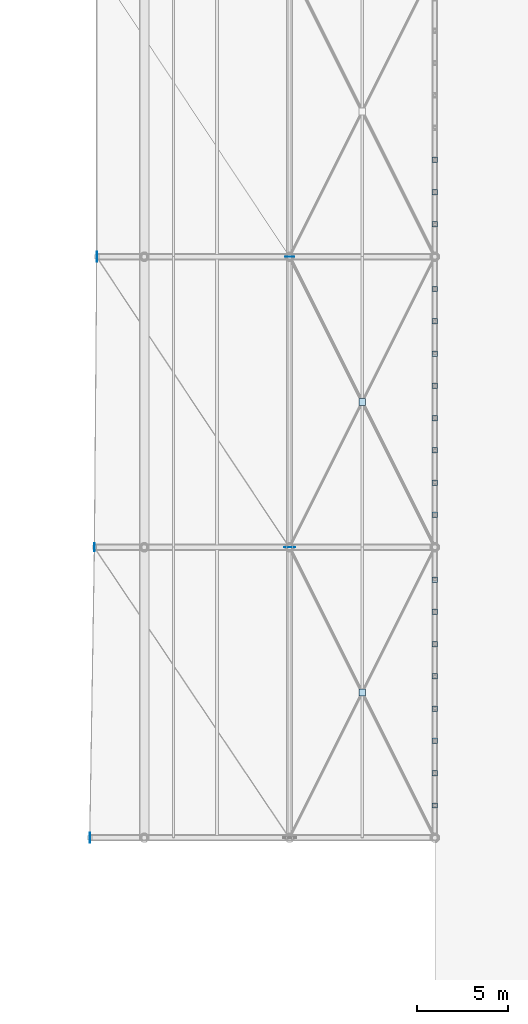
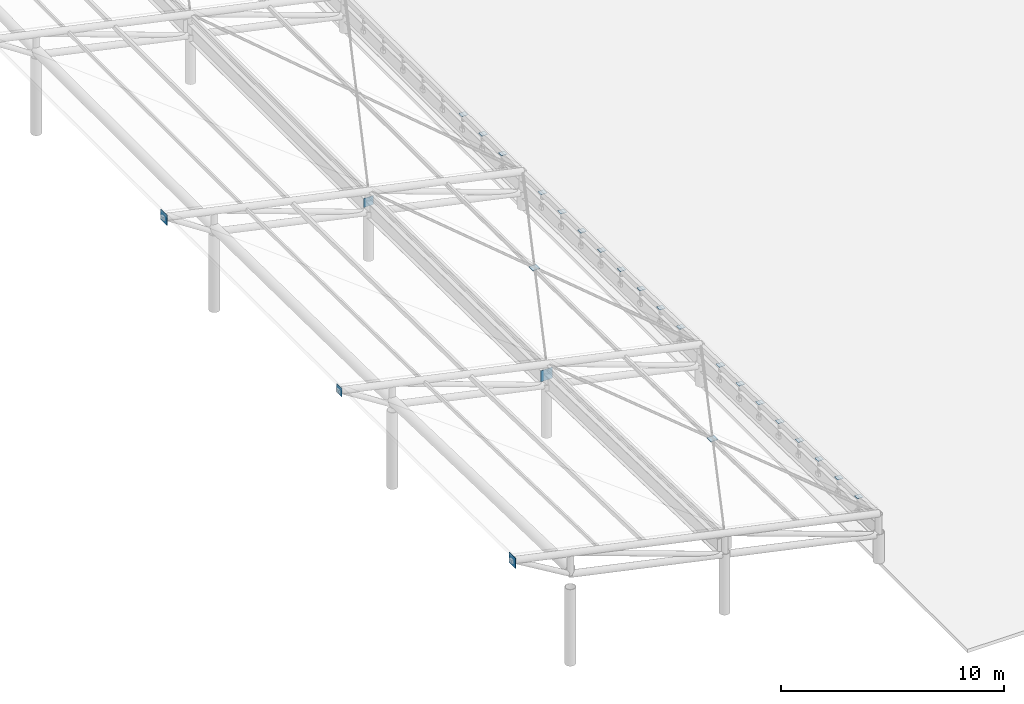
# One storey, part 39 of 54: 26 plates.
"""IFC4 building model written with IfcOpenShell, lengths in metres."""

from ifc_helpers import new_model, si_unit, direction, frame, origin, origin_2d, place, context, subcontext, project, spatial, rectangle, extrude, material, layer, layer_set, type_object, element, save


model = new_model("IFC4")

# Units and contexts
model_context = context("Model", 3, precision=1e-05, world=origin(), true_north=direction((0.0, 1.0)))
body_context = subcontext(model_context, "Body", "Model", "MODEL_VIEW")
ifc_project = project(units=[si_unit("LENGTHUNIT", "METRE"), si_unit("AREAUNIT", "SQUARE_METRE"), si_unit("VOLUMEUNIT", "CUBIC_METRE"), si_unit("PLANEANGLEUNIT", "RADIAN"), si_unit("MASSUNIT", "GRAM", prefix="KILO")], contexts=[model_context])

# Site, building, storey
site_placement = place(None, origin())
site = spatial("IfcSite", under=ifc_project, at=site_placement, CompositionType="ELEMENT")
building_placement = place(site_placement, origin())
building = spatial("IfcBuilding", under=site, at=building_placement, Name="Haebicheon Civic Stadium", CompositionType="ELEMENT")
storey_placement = place(building_placement, frame((0.0, 0.0, 22.800048828125)))
storey = spatial("IfcBuildingStorey", under=building, at=storey_placement, Name="L06", CompositionType="ELEMENT", Elevation=22.800048828125)

# Plates
ifc_material_1 = material(Name="White painted steel SM490", Category="steel")
ifc_layer_1 = layer(ifc_material_1, 0.013916015625, Name="White painted steel SM490")
ifc_layer_set_1 = layer_set([ifc_layer_1], Name="White painted steel SM490")
plate_type_1 = type_object("IfcPlateType", Name="PLT-CAP-14", PredefinedType="SHEET", material=ifc_layer_set_1)
for number, where, z_axis, x_axis, name in (
    (1, (208.0, 57.778076171875, 2.4580078125), (0.0, 0.0, 1.0), (1.0, 0.0, 0.0), "CAN-COMM hanger clevis cap plate 1.1"),
    (2, (208.0, 59.555908203125, 2.4111328125), (0.0, 0.0, 1.0), (1.0, 0.0, 0.0), "CAN-COMM hanger clevis cap plate 1.2"),
    (3, (208.0, 61.3330078125, 2.36376953125), (0.0, 0.0, 1.0), (1.0, 0.0, 0.0), "CAN-COMM hanger clevis cap plate 1.3"),
    (4, (208.0, 63.111083984375, 2.31689453125), (0.0, 0.0, 1.0), (1.0, 0.0, 0.0), "CAN-COMM hanger clevis cap plate 1.4"),
    (5, (208.0, 64.888916015625, 2.27099609375), (0.0, 0.0, 1.0), (1.0, 0.0, 0.0), "CAN-COMM hanger clevis cap plate 1.5"),
    (6, (208.0, 66.6669921875, 2.22412109375), (0.0, 0.0, 1.0), (1.0, 0.0, 0.0), "CAN-COMM hanger clevis cap plate 1.6"),
    (7, (208.0, 68.444091796875, 2.1767578125), (0.0, 0.0, 1.0), (1.0, 0.0, 0.0), "CAN-COMM hanger clevis cap plate 1.7"),
    (8, (208.0, 70.221923828125, 2.1298828125), (0.0, 0.0, 1.0), (1.0, 0.0, 0.0), "CAN-COMM hanger clevis cap plate 1.8"),
    (9, (208.0, 73.778076171875, 2.05908203125), (0.0, 0.0, 1.0), (1.0, 0.0, 0.0), "CAN-COMM hanger clevis cap plate 2.1"),
    (10, (208.0, 75.555908203125, 2.0361328125), (0.0, 0.0, 1.0), (1.0, 0.0, 0.0), "CAN-COMM hanger clevis cap plate 2.2"),
    (11, (208.0, 77.3330078125, 2.01220703125), (0.0, 0.0, 1.0), (1.0, 0.0, 0.0), "CAN-COMM hanger clevis cap plate 2.3"),
    (12, (208.0, 79.111083984375, 1.98876953125), (0.0, 0.0, 1.0), (1.0, 0.0, 0.0), "CAN-COMM hanger clevis cap plate 2.4"),
    (13, (208.0, 80.888916015625, 1.96484375), (0.0, 0.0, 1.0), (1.0, 0.0, 0.0), "CAN-COMM hanger clevis cap plate 2.5"),
    (14, (208.0, 82.6669921875, 1.94189453125), (0.0, 0.0, 1.0), (1.0, 0.0, 0.0), "CAN-COMM hanger clevis cap plate 2.6"),
    (15, (208.0, 84.444091796875, 1.91796875), (0.0, 0.0, 1.0), (1.0, 0.0, 0.0), "CAN-COMM hanger clevis cap plate 2.7"),
    (16, (208.0, 86.221923828125, 1.89501953125), (0.0, 0.0, 1.0), (1.0, 0.0, 0.0), "CAN-COMM hanger clevis cap plate 2.8"),
    (17, (208.0, 89.778076171875, 1.87109375), (0.0, 0.0, 1.0), (1.0, 0.0, 0.0), "CAN-COMM hanger clevis cap plate 3.1"),
    (18, (208.0, 91.555908203125, 1.87109375), (0.0, 0.0, 1.0), (1.0, 0.0, 0.0), "CAN-COMM hanger clevis cap plate 3.2"),
    (19, (208.0, 93.3330078125, 1.87109375), (0.0, 0.0, 1.0), (1.0, 0.0, 0.0), "CAN-COMM hanger clevis cap plate 3.3"),
):
    element("IfcPlate", number, at=place(storey_placement, frame(where, z_axis=z_axis, x_axis=x_axis)), inside=storey, type_object=plate_type_1, material=ifc_layer_set_1, Name=name, PredefinedType="SHEET", context=body_context, shape_type="SweptSolid", body=[
        extrude(rectangle(XDim=0.300048828125, YDim=0.300048828125, at=origin_2d()), origin(), (0.0, 0.0, 1.0), 0.013916015625),
    ])
ifc_material_2 = material(Name="White painted steel SM490", Category="steel")
ifc_layer_2 = layer(ifc_material_2, 0.02001953125, Name="White painted steel SM490")
ifc_layer_set_2 = layer_set([ifc_layer_2], Name="White painted steel SM490")
plate_type_2 = type_object("IfcPlateType", Name="PLT-CAP-20", PredefinedType="SHEET", material=ifc_layer_set_2)
plate_1_placement = place(storey_placement, frame((189.256103515625, 72.0, 5.989990234375), z_axis=(0.0, 0.0, 1.0), x_axis=(0.0, 1.0, 0.0)))
element("IfcPlate", 20, at=plate_1_placement, inside=storey, type_object=plate_type_2, material=ifc_layer_set_2, Name="CAN-COMM tip end-cap plate 2", PredefinedType="SHEET", context=body_context, shape_type="SweptSolid", body=[
    extrude(rectangle(XDim=0.4599609375, YDim=0.02001953125, at=origin_2d()), origin(), (0.0, 0.0, 1.0), 0.4599609375),
])
ifc_material_3 = material(Name="White painted steel SM490", Category="steel")
ifc_layer_3 = layer(ifc_material_3, 0.02587890625, Name="White painted steel SM490")
ifc_layer_set_3 = layer_set([ifc_layer_3], Name="White painted steel SM490")
plate_type_3 = type_object("IfcPlateType", Name="PLT-CAP-26", PredefinedType="SHEET", material=ifc_layer_set_3)
for number, where, z_axis, x_axis, name in (
    (21, (189.0, 56.0, 6.4169921875), (0.0, 0.0, 1.0), (0.0, 1.0, 0.0), "CAN-COMM tip end-cap plate 1"),
    (22, (189.384033203125, 88.0, 5.699951171875), (0.0, 0.0, 1.0), (0.0, 1.0, 0.0), "CAN-COMM tip end-cap plate 3"),
):
    element("IfcPlate", number, at=place(storey_placement, frame(where, z_axis=z_axis, x_axis=x_axis)), inside=storey, type_object=plate_type_3, material=ifc_layer_set_3, Name=name, PredefinedType="SHEET", context=body_context, shape_type="SweptSolid", body=[
        extrude(rectangle(XDim=0.56005859375, YDim=0.02587890625, at=origin_2d()), origin(), (0.0, 0.0, 1.0), 0.56005859375),
    ])
ifc_material_4 = material(Name="White painted steel SM490", Category="steel")
ifc_layer_4 = layer(ifc_material_4, 0.01806640625, Name="White painted steel SM490")
ifc_layer_set_4 = layer_set([ifc_layer_4], Name="White painted steel SM490")
plate_type_4 = type_object("IfcPlateType", Name="PLT-GUS-18", PredefinedType="USERDEFINED", material=ifc_layer_set_4)
plate_2_placement = place(storey_placement, frame((200.0, 88.0, 2.873046875), z_axis=(0.0, 0.0, 1.0), x_axis=(1.0, 0.0, 0.0)))
element("IfcPlate", 23, at=plate_2_placement, inside=storey, type_object=plate_type_4, material=ifc_layer_set_4, Name="CAN-COMM heel node gusset plate KN-M03", ObjectType="GUSSET PLATE", PredefinedType="USERDEFINED", context=body_context, shape_type="SweptSolid", body=[
    extrude(rectangle(XDim=0.5, YDim=0.01806640625, at=origin_2d()), origin(), (0.0, 0.0, 1.0), 0.5),
])
ifc_material_5 = material(Name="White painted steel SM490", Category="steel")
ifc_layer_5 = layer(ifc_material_5, 0.02392578125, Name="White painted steel SM490")
ifc_layer_set_5 = layer_set([ifc_layer_5], Name="White painted steel SM490")
plate_type_5 = type_object("IfcPlateType", Name="PLT-GUS-24", PredefinedType="USERDEFINED", material=ifc_layer_set_5)
plate_3_placement = place(storey_placement, frame((200.0, 72.0, 3.034912109375), z_axis=(0.0, 0.0, 1.0), x_axis=(1.0, 0.0, 0.0)))
element("IfcPlate", 24, at=plate_3_placement, inside=storey, type_object=plate_type_5, material=ifc_layer_set_5, Name="CAN-COMM heel node gusset plate KN-M02", ObjectType="GUSSET PLATE", PredefinedType="USERDEFINED", context=body_context, shape_type="SweptSolid", body=[
    extrude(rectangle(XDim=0.60009765625, YDim=0.02392578125, at=origin_2d()), origin(), (0.0, 0.0, 1.0), 0.60009765625),
])
ifc_material_6 = material(Name="White painted steel SM490", Category="steel")
ifc_layer_6 = layer(ifc_material_6, 0.013916015625, Name="White painted steel SM490")
ifc_layer_set_6 = layer_set([ifc_layer_6], Name="White painted steel SM490")
plate_type_6 = type_object("IfcPlateType", Name="PLT-XND-14", PredefinedType="SHEET", material=ifc_layer_set_6)
for number, where, z_axis, x_axis, name in (
    (25, (204.0, 64.0, 3.25390625), (0.0, 0.0, 1.0), (1.0, 0.0, 0.0), "CAN-COMM X-brace crossing gusset plate 1"),
    (26, (204.0, 80.0, 2.93701171875), (0.0, 0.0, 1.0), (1.0, 0.0, 0.0), "CAN-COMM X-brace crossing gusset plate 2"),
):
    element("IfcPlate", number, at=place(storey_placement, frame(where, z_axis=z_axis, x_axis=x_axis)), inside=storey, type_object=plate_type_6, material=ifc_layer_set_6, Name=name, PredefinedType="SHEET", context=body_context, shape_type="SweptSolid", body=[
        extrude(rectangle(XDim=0.3798828125, YDim=0.3798828125, at=origin_2d()), origin(), (0.0, 0.0, 1.0), 0.013916015625),
    ])

save(model, "model.ifc")
